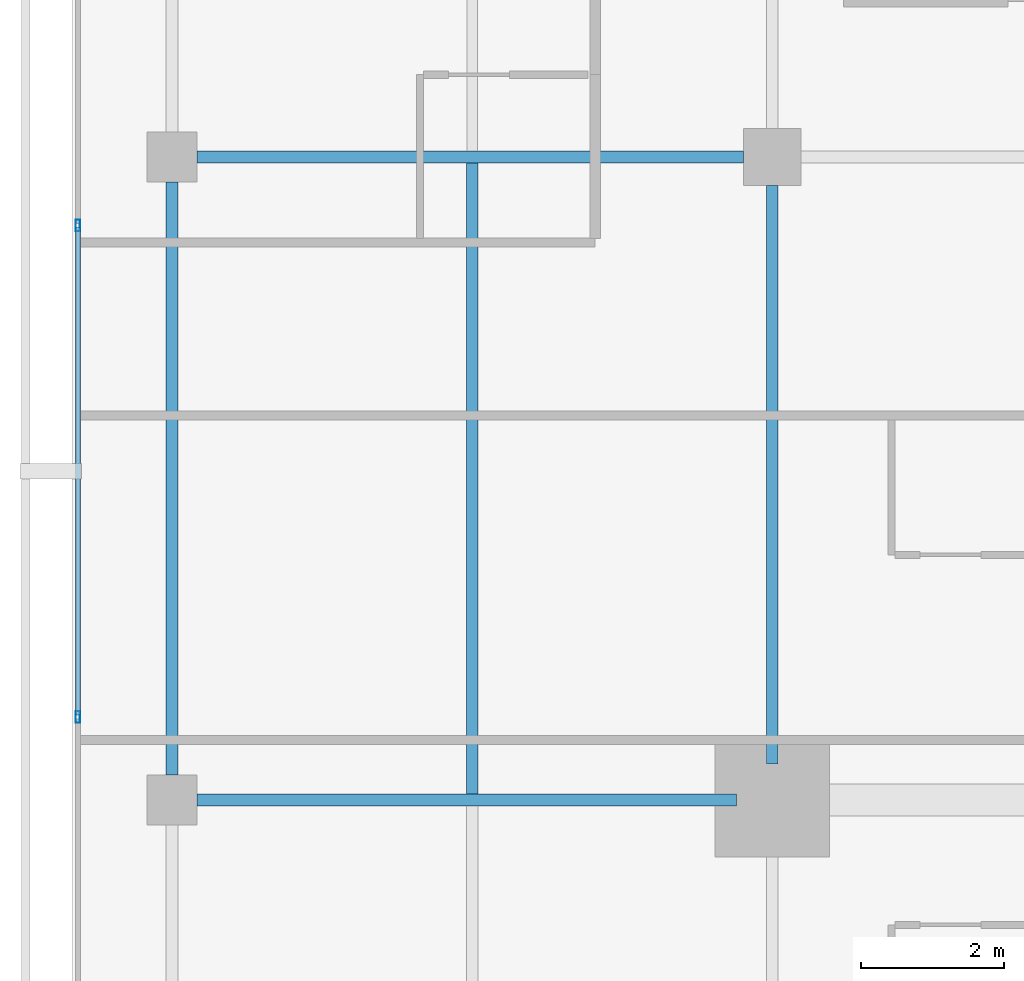
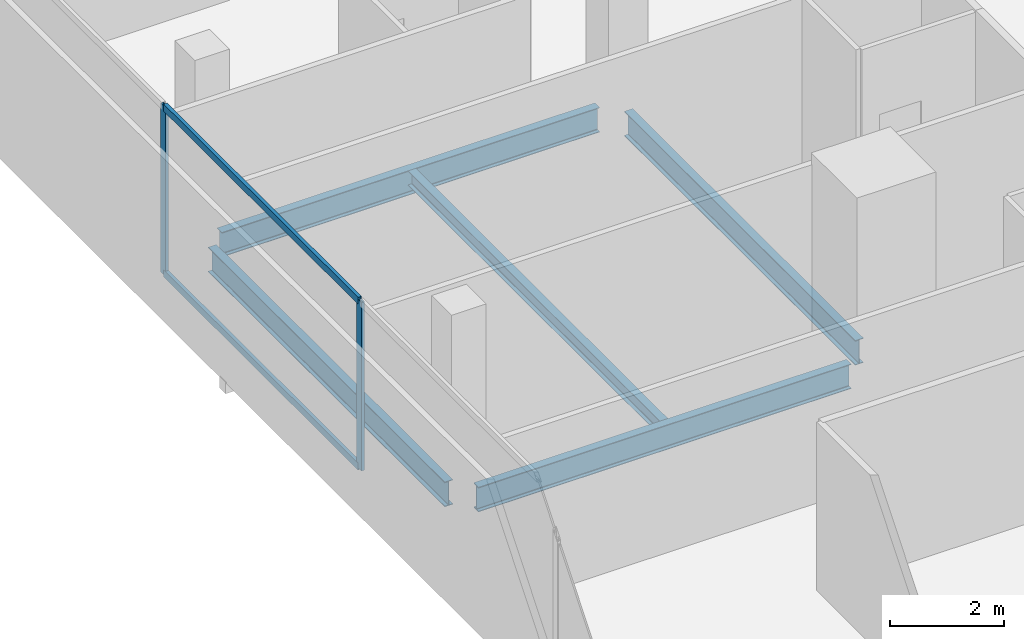
# One storey, part 8 of 25: 5 beams, 4 members, 1 element without a shape of its own.
"""IFC4 building model written with IfcOpenShell, lengths in metres."""

from ifc_helpers import new_model, si_unit, direction, frame, origin, origin_2d, place, context, subcontext, project, spatial, hollow_rectangle, i_section, extrude, material, layer, layer_set, material_profile, profile_set, type_object, element, aggregate, save


model = new_model("IFC4")

# Units and contexts
model_context = context("Model", 3, precision=1e-05, world=origin(), true_north=direction((0.0, 1.0)))
body_context = subcontext(model_context, "Body", "Model", "MODEL_VIEW")
ifc_project = project(units=[si_unit("LENGTHUNIT", "METRE"), si_unit("AREAUNIT", "SQUARE_METRE"), si_unit("VOLUMEUNIT", "CUBIC_METRE"), si_unit("PLANEANGLEUNIT", "RADIAN"), si_unit("MASSUNIT", "GRAM", prefix="KILO")], contexts=[model_context])

# Site, building, storey
site_placement = place(None, origin())
site = spatial("IfcSite", under=ifc_project, at=site_placement, CompositionType="ELEMENT")
building_placement = place(site_placement, origin())
building = spatial("IfcBuilding", under=site, at=building_placement, Name="Maruvema Waterfront Hotel and Observation Tower", CompositionType="ELEMENT")
storey_placement = place(building_placement, frame((0.0, 0.0, 297.14990234375)))
storey = spatial("IfcBuildingStorey", under=building, at=storey_placement, Name="L73", CompositionType="ELEMENT", Elevation=297.14990234375)

# Curtain wall, members
ifc_material_1 = material(Name="Anodised bronze aluminium and solar-control low-E IGU", Category="aluminium")
ifc_layer = layer(ifc_material_1, 0.159912109375, Name="Zone 3 Champagne Inner Thermal Curtain Wall System CW-04")
ifc_layer_set = layer_set([ifc_layer], Name="Anodised bronze aluminium and solar-control low-E IGU")
curtain_wall_type = type_object("IfcCurtainWallType", Name="Zone 3 Champagne Inner Thermal Curtain Wall System CW-04", PredefinedType="USERDEFINED", material=ifc_layer_set)
curtain_wall_placement = place(storey_placement, origin())
curtain_wall = element("IfcCurtainWall", 1, at=curtain_wall_placement, inside=storey, type_object=curtain_wall_type, Name="L73 Curtain Wall CW-L73-W", ObjectType="UNITISED CURTAIN WALL", PredefinedType="USERDEFINED")
ifc_material_2 = material(Name="Anodised architectural bronze aluminium", Category="aluminium")
ifc_material_profile_1 = material_profile(ifc_material_2, hollow_rectangle(XDim=0.070068359375, YDim=0.14990234375, WallThickness=0.00390625, at=origin_2d()), Name="ALU-T70x150")
ifc_profile_set_1 = profile_set([ifc_material_profile_1], Name="Anodised architectural bronze aluminium")
member_type_1 = type_object("IfcMemberType", Name="Curtain Wall Horizontal Transom ALU-T70x150", PredefinedType="USERDEFINED", material=ifc_profile_set_1)
member_1_placement = place(storey_placement, frame((15.47998046875, 35.010009765625, 0.030029296875), z_axis=(0.0, -1.0, 0.0), x_axis=(1.0, 0.0, 0.0)))
member_1 = element("IfcMember", 2, at=member_1_placement, type_object=member_type_1, Name="CW-04 transom 3.1", ObjectType="TRANSOM", PredefinedType="USERDEFINED", context=body_context, shape_type="SweptSolid", body=[
    extrude(hollow_rectangle(XDim=0.070068359375, YDim=0.14990234375, WallThickness=0.00390625, at=origin_2d()), origin(), (0.0, 0.0, 1.0), 6.820068359375),
])
member_2_placement = place(storey_placement, frame((15.47998046875, 35.010009765625, 3.580078125), z_axis=(0.0, -1.0, 0.0), x_axis=(1.0, 0.0, 0.0)))
member_2 = element("IfcMember", 3, at=member_2_placement, type_object=member_type_1, Name="CW-04 transom 3.2", ObjectType="TRANSOM", PredefinedType="USERDEFINED", context=body_context, shape_type="SweptSolid", body=[
    extrude(hollow_rectangle(XDim=0.070068359375, YDim=0.14990234375, WallThickness=0.00390625, at=origin_2d()), origin(), (0.0, 0.0, 1.0), 6.820068359375),
])
ifc_material_3 = material(Name="Anodised architectural bronze aluminium", Category="aluminium")
ifc_material_profile_2 = material_profile(ifc_material_3, hollow_rectangle(XDim=0.06494140625, YDim=0.1650390625, WallThickness=0.00390625, at=origin_2d()), Name="ALU-M65x165")
ifc_profile_set_2 = profile_set([ifc_material_profile_2], Name="Anodised architectural bronze aluminium")
member_type_2 = type_object("IfcMemberType", Name="Curtain Wall Primary Mullion ALU-M65x165", PredefinedType="MULLION", material=ifc_profile_set_2)
member_3_placement = place(storey_placement, frame((15.47998046875, 35.0400390625, 0.0), z_axis=(0.0, 0.0, 1.0), x_axis=(1.0, 0.0, 0.0)))
member_3 = element("IfcMember", 4, at=member_3_placement, type_object=member_type_2, Name="CW-04 mullion 3", PredefinedType="MULLION", context=body_context, shape_type="SweptSolid", body=[
    extrude(hollow_rectangle(XDim=0.06494140625, YDim=0.1650390625, WallThickness=0.00390625, at=origin_2d()), origin(), (0.0, 0.0, 1.0), 3.610107421875),
])
member_4_placement = place(storey_placement, frame((15.47998046875, 28.159912109375, 0.0), z_axis=(0.0, 0.0, 1.0), x_axis=(1.0, 0.0, 0.0)))
member_4 = element("IfcMember", 5, at=member_4_placement, type_object=member_type_2, Name="CW-04 mullion 4", PredefinedType="MULLION", context=body_context, shape_type="SweptSolid", body=[
    extrude(hollow_rectangle(XDim=0.06494140625, YDim=0.1650390625, WallThickness=0.00390625, at=origin_2d()), origin(), (0.0, 0.0, 1.0), 3.610107421875),
])
aggregate(curtain_wall, [member_3, member_4, member_1, member_2])

# Beams
ifc_material_4 = material(Name="Steel ASTM A572 Grade 50", Category="steel")
ifc_material_profile_3 = material_profile(ifc_material_4, i_section(OverallWidth=0.166015625, OverallDepth=0.529052734375, WebThickness=0.009765625, FlangeThickness=0.013671875, FilletRadius=0.014892578125, at=origin_2d()), Name="W530x74.0")
ifc_profile_set_3 = profile_set([ifc_material_profile_3], Name="Steel ASTM A572 Grade 50")
beam_type_1 = type_object("IfcBeamType", Name="Primary Floor Girder W530x74.0", PredefinedType="BEAM", material=ifc_profile_set_3)
beam_1_placement = place(storey_placement, frame((17.14990234375, 27.0, -0.50439453125), z_axis=(1.0, 0.0, 0.0), x_axis=(0.0, 1.0, 0.0)))
element("IfcBeam", 6, at=beam_1_placement, inside=storey, type_object=beam_type_1, Name="L73 Floor Girder EW-09", PredefinedType="BEAM", context=body_context, shape_type="SweptSolid", body=[
    extrude(i_section(OverallWidth=0.166015625, OverallDepth=0.529052734375, WebThickness=0.009765625, FlangeThickness=0.013671875, FilletRadius=0.014892578125, at=origin_2d()), origin(), (0.0, 0.0, 1.0), 7.550048828125),
])
beam_2_placement = place(storey_placement, frame((17.14990234375, 36.0, -0.50439453125), z_axis=(1.0, 0.0, 0.0), x_axis=(0.0, 1.0, 0.0)))
element("IfcBeam", 7, at=beam_2_placement, inside=storey, type_object=beam_type_1, Name="L73 Floor Girder EW-12", PredefinedType="BEAM", context=body_context, shape_type="SweptSolid", body=[
    extrude(i_section(OverallWidth=0.166015625, OverallDepth=0.529052734375, WebThickness=0.009765625, FlangeThickness=0.013671875, FilletRadius=0.014892578125, at=origin_2d()), origin(), (0.0, 0.0, 1.0), 7.650146484375),
])
beam_3_placement = place(storey_placement, frame((16.800048828125, 27.35009765625, -0.50439453125), z_axis=(0.0, 1.0, 0.0), x_axis=(-1.0, 0.0, 0.0)))
element("IfcBeam", 8, at=beam_3_placement, inside=storey, type_object=beam_type_1, Name="L73 Floor Girder NS-02", PredefinedType="BEAM", context=body_context, shape_type="SweptSolid", body=[
    extrude(i_section(OverallWidth=0.166015625, OverallDepth=0.529052734375, WebThickness=0.009765625, FlangeThickness=0.013671875, FilletRadius=0.014892578125, at=origin_2d()), origin(), (0.0, 0.0, 1.0), 8.2998046875),
])
beam_4_placement = place(storey_placement, frame((25.199951171875, 27.5, -0.50439453125), z_axis=(0.0, 1.0, 0.0), x_axis=(-1.0, 0.0, 0.0)))
element("IfcBeam", 9, at=beam_4_placement, inside=storey, type_object=beam_type_1, Name="L73 Floor Girder NS-06", PredefinedType="BEAM", context=body_context, shape_type="SweptSolid", body=[
    extrude(i_section(OverallWidth=0.166015625, OverallDepth=0.529052734375, WebThickness=0.009765625, FlangeThickness=0.013671875, FilletRadius=0.014892578125, at=origin_2d()), origin(), (0.0, 0.0, 1.0), 8.10009765625),
])
ifc_material_5 = material(Name="Steel ASTM A572 Grade 50", Category="steel")
ifc_material_profile_4 = material_profile(ifc_material_5, i_section(OverallWidth=0.1650390625, OverallDepth=0.31005859375, WebThickness=0.005859375, FlangeThickness=0.009765625, FilletRadius=0.012939453125, at=origin_2d()), Name="W310x38.7")
ifc_profile_set_4 = profile_set([ifc_material_profile_4], Name="Steel ASTM A572 Grade 50")
beam_type_2 = type_object("IfcBeamType", Name="Secondary Floor Joist W310x38.7", PredefinedType="JOIST", material=ifc_profile_set_4)
beam_5_placement = place(storey_placement, frame((21.0, 27.0830078125, -0.39501953125), z_axis=(0.0, 1.0, 0.0), x_axis=(-1.0, 0.0, 0.0)))
element("IfcBeam", 10, at=beam_5_placement, inside=storey, type_object=beam_type_2, Name="L73 Secondary Floor Joist JS-02", PredefinedType="JOIST", context=body_context, shape_type="SweptSolid", body=[
    extrude(i_section(OverallWidth=0.1650390625, OverallDepth=0.31005859375, WebThickness=0.005859375, FlangeThickness=0.009765625, FilletRadius=0.012939453125, at=origin_2d()), origin(), (0.0, 0.0, 1.0), 8.833984375),
])

save(model, "model.ifc")
